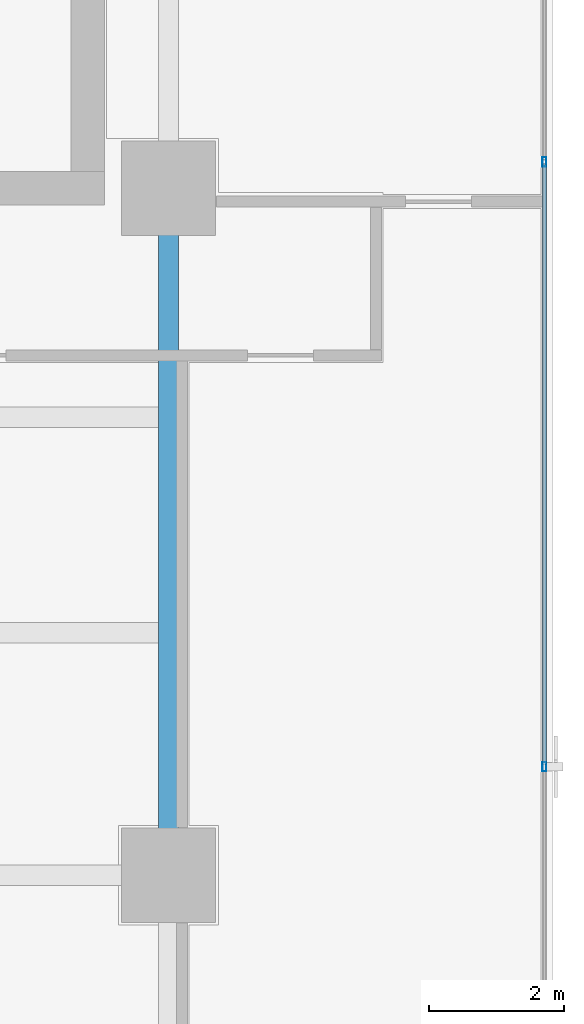
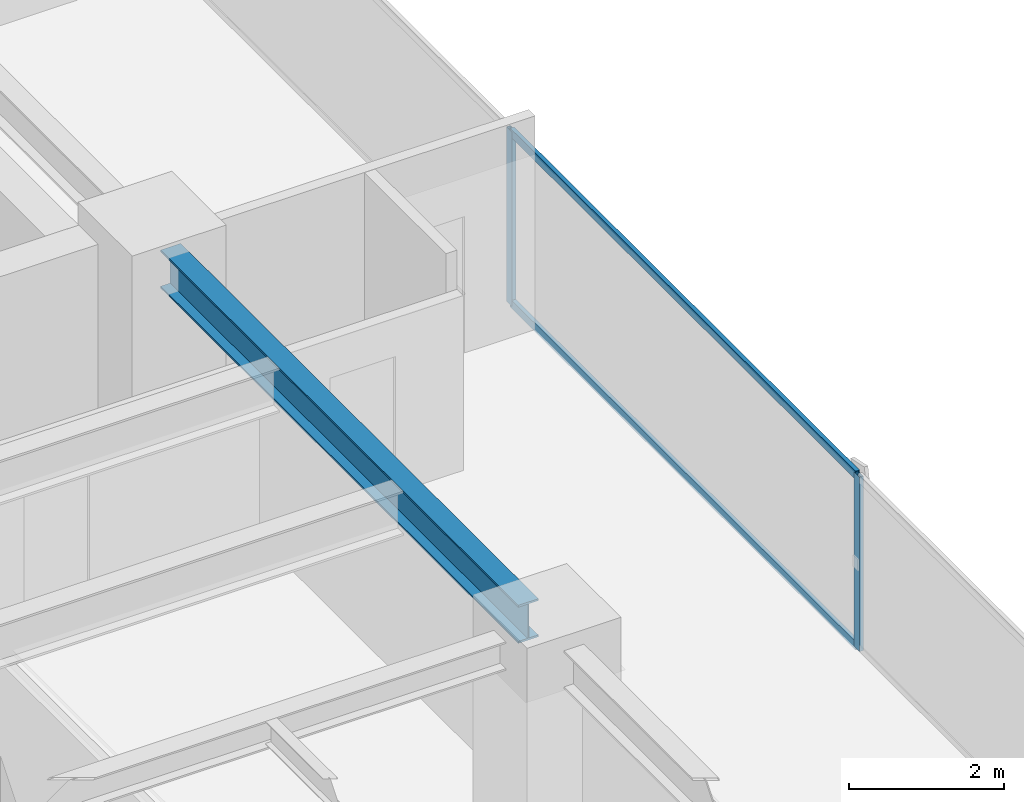
# One storey, part 13 of 27: 4 members, 1 beam, 1 element without a shape of its own.
"""IFC4 building model written with IfcOpenShell, lengths in metres."""

import ifcopenshell
import ifcopenshell.guid

model = None  # the IFC model being written
_history = None  # IfcOwnerHistory: only IFC2X3 demands one
_inside = {}  # id of a spatial element -> (the spatial element, [elements in it])
_under = {}  # id of a project, library or spatial element -> (it, [spatial elements below it])
_declared = {}  # id of a project -> (the project, [libraries it declares])
_typed = {}  # id of a type object -> (the type object, [elements of that type])
_made_of = {}  # id of a material, layer set ... -> (it, [elements and type objects made of it])


def new_model(schema):
    """Start an empty IFC model of exactly this schema.

    Asked for "IFC4X3", IfcOpenShell would pick the latest addendum, in which some entities
    have other attributes; the version numbers below select the first issue.
    IFC2X3 requires an IfcOwnerHistory on every rooted entity: one is made here for all.
    """
    global model, _history
    if schema == "IFC4X3":
        model = ifcopenshell.file(schema_version=(4, 3, 0, 0))
    else:
        model = ifcopenshell.file(schema=schema)
    _inside.clear()
    _under.clear()
    _declared.clear()
    _typed.clear()
    _made_of.clear()
    _history = None
    if model.schema == "IFC2X3":
        org = make("IfcOrganization", Name="unknown")
        user = make(
            "IfcPersonAndOrganization",
            ThePerson=make("IfcPerson", FamilyName="unknown"),
            TheOrganization=org,
        )
        app = make(
            "IfcApplication",
            ApplicationDeveloper=org,
            Version="unknown",
            ApplicationFullName="unknown",
            ApplicationIdentifier="unknown",
        )
        _history = make(
            "IfcOwnerHistory",
            OwningUser=user,
            OwningApplication=app,
            ChangeAction="ADDED",
            CreationDate=0,
        )
    return model


def make(cls, **values):
    """One entity of the class cls with the attributes given. An attribute that is None is left unset."""
    return model.create_entity(
        cls, **{name: value for name, value in values.items() if value is not None}
    )


def rooted(cls, **values):
    """An entity with a GlobalId (a new one), such as an element, a storey or a relation."""
    return make(cls, GlobalId=ifcopenshell.guid.new(), OwnerHistory=_history, **values)


def si_unit(unit_type, name, prefix=None):
    """IfcSIUnit, for example si_unit("LENGTHUNIT", "METRE", prefix="MILLI")."""
    return make("IfcSIUnit", UnitType=unit_type, Prefix=prefix, Name=name)


def assignment(units):
    """IfcUnitAssignment: the units of a project."""
    return None if units is None else make("IfcUnitAssignment", Units=units)


def point(xyz):
    """IfcCartesianPoint."""
    return None if xyz is None else make("IfcCartesianPoint", Coordinates=xyz)


def direction(xyz):
    """IfcDirection."""
    return None if xyz is None else make("IfcDirection", DirectionRatios=xyz)


def frame(location, z_axis=None, x_axis=None):
    """IfcAxis2Placement3D, a coordinate frame: its origin and axes. An axis left out is left unset."""
    return make(
        "IfcAxis2Placement3D",
        Location=point(location),
        Axis=direction(z_axis),
        RefDirection=direction(x_axis),
    )


def frame_2d(location, x_axis=None):
    """IfcAxis2Placement2D, a coordinate frame in the plane: its origin and x axis."""
    return make(
        "IfcAxis2Placement2D", Location=point(location), RefDirection=direction(x_axis)
    )


def origin():
    """The frame at (0, 0, 0) with its axes left unset."""
    return frame((0.0, 0.0, 0.0))


def origin_2d():
    """The frame at (0, 0) in the plane with its x axis left unset."""
    return frame_2d((0.0, 0.0))


def place(relative_to, where):
    """IfcLocalPlacement: puts the frame where relative to a parent placement (None: the world)."""
    return make(
        "IfcLocalPlacement", PlacementRelTo=relative_to, RelativePlacement=where
    )


def context(
    kind, dimensions, precision=None, world=None, true_north=None, identifier=None
):
    """IfcGeometricRepresentationContext, for example the 3D "Model" context."""
    return make(
        "IfcGeometricRepresentationContext",
        ContextIdentifier=identifier,
        ContextType=kind,
        CoordinateSpaceDimension=dimensions,
        Precision=precision,
        WorldCoordinateSystem=world,
        TrueNorth=true_north,
    )


def subcontext(parent, identifier, kind, view, scale=None):
    """IfcGeometricRepresentationSubContext, for example "Body" below "Model"."""
    return make(
        "IfcGeometricRepresentationSubContext",
        ContextIdentifier=identifier,
        ContextType=kind,
        ParentContext=parent,
        TargetScale=scale,
        TargetView=view,
    )


def project(units=None, contexts=None):
    """IfcProject with its units and contexts."""
    return rooted(
        "IfcProject",
        Name="project",
        RepresentationContexts=contexts,
        UnitsInContext=assignment(units),
    )


def spatial(cls, under=None, at=None, **own):
    """A site, building, storey or space (cls), placed at a placement, below another one or the project."""
    s = rooted(cls, ObjectPlacement=at, **own)
    if under is not None:
        _under.setdefault(under.id(), (under, []))[1].append(s)
    return s


def profile(cls, at=None, kind="AREA", **sizes):
    """A parametric profile (cls). Its sizes go by their IFC names, for example OverallWidth=200.0."""
    return make(cls, ProfileType=kind, Position=at, **sizes)


def hollow_rectangle(**sizes):
    """IfcRectangleHollowProfileDef."""
    return profile("IfcRectangleHollowProfileDef", **sizes)


def i_section(**sizes):
    """IfcIShapeProfileDef."""
    return profile("IfcIShapeProfileDef", **sizes)


def extrude(swept, where, along, depth):
    """IfcExtrudedAreaSolid: the profile swept, set in the frame where, extruded along a direction by depth."""
    return make(
        "IfcExtrudedAreaSolid",
        SweptArea=swept,
        Position=where,
        ExtrudedDirection=direction(along),
        Depth=depth,
    )


def shape(context_of_items, identifier, shape_type, items):
    """IfcShapeRepresentation: the items that make up one representation, for example the "Body"."""
    return make(
        "IfcShapeRepresentation",
        ContextOfItems=context_of_items,
        RepresentationIdentifier=identifier,
        RepresentationType=shape_type,
        Items=items,
    )


def source(mapping_origin, context_of_items, identifier, shape_type, items):
    """IfcRepresentationMap: a shape defined once, which mapped items show again and again."""
    return make(
        "IfcRepresentationMap",
        MappingOrigin=mapping_origin,
        MappedRepresentation=shape(context_of_items, identifier, shape_type, items),
    )


def transform(
    local_origin,
    x_axis=None,
    y_axis=None,
    z_axis=None,
    scale=None,
    scale2=None,
    scale3=None,
    uniform=True,
):
    """IfcCartesianTransformationOperator3D, or its non-uniform kind. x_axis, y_axis, z_axis: its Axis1, 2, 3."""
    if uniform:
        return make(
            "IfcCartesianTransformationOperator3D",
            Axis1=direction(x_axis),
            Axis2=direction(y_axis),
            LocalOrigin=point(local_origin),
            Scale=scale,
            Axis3=direction(z_axis),
        )
    return make(
        "IfcCartesianTransformationOperator3DnonUniform",
        Axis1=direction(x_axis),
        Axis2=direction(y_axis),
        LocalOrigin=point(local_origin),
        Scale=scale,
        Axis3=direction(z_axis),
        Scale2=scale2,
        Scale3=scale3,
    )


def mapped(mapping_source, mapping_target):
    """IfcMappedItem: shows the shape of a source again, moved by a transform."""
    return make(
        "IfcMappedItem", MappingSource=mapping_source, MappingTarget=mapping_target
    )


def material(Name=None, Category=None):
    """IfcMaterial."""
    return make("IfcMaterial", Name=Name, Category=Category)


def layer(
    of_material, thickness, ventilated=None, Name=None, Category=None, Priority=None
):
    """IfcMaterialLayer: one layer of a wall or slab, of a material (None: an air gap)."""
    return make(
        "IfcMaterialLayer",
        Material=of_material,
        LayerThickness=thickness,
        IsVentilated=ventilated,
        Name=Name,
        Category=Category,
        Priority=Priority,
    )


def layer_set(layers, Name=None):
    """IfcMaterialLayerSet."""
    return make("IfcMaterialLayerSet", MaterialLayers=layers, LayerSetName=Name)


def material_profile(
    of_material, cross_section, Name=None, Category=None, Priority=None
):
    """IfcMaterialProfile: a cross section and its material."""
    return make(
        "IfcMaterialProfile",
        Name=Name,
        Material=of_material,
        Profile=cross_section,
        Priority=Priority,
        Category=Category,
    )


def profile_set(profiles, Name=None, composite=None):
    """IfcMaterialProfileSet."""
    return make(
        "IfcMaterialProfileSet",
        Name=Name,
        MaterialProfiles=profiles,
        CompositeProfile=composite,
    )


def made_of(thing, what):
    """Note that an element or type object is made of a material, layer set ...; save() writes the relation."""
    if what is not None:
        _made_of.setdefault(what.id(), (what, []))[1].append(thing)
    return thing


def type_object(cls, material=None, **own):
    """A type object (cls), such as IfcWallType, which elements share."""
    return made_of(rooted(cls, **own), material)


def element(
    cls,
    number,
    at=None,
    inside=None,
    cuts=None,
    type_object=None,
    material=None,
    context=None,
    identifier="Body",
    shape_type=None,
    held_by="IfcProductDefinitionShape",
    body=None,
    shapes=None,
    **own,
):
    """One element of the class cls, such as IfcWall. Its Tag is "e" and its number.

    at: its placement. inside: the storey or other place that contains it. cuts: it is an
    opening in that element (IfcRelVoidsElement). A single representation is given by context,
    identifier, shape_type and body (its items); several are given by shapes. held_by: the class
    of the entity that holds the representations. save() writes the other relations.
    """
    e = rooted(cls, Tag="e%d" % number, ObjectPlacement=at, **own)
    if body is not None:
        shapes = [shape(context, identifier, shape_type, body)]
    if shapes is not None:
        e.Representation = make(held_by, Representations=shapes)
    if inside is not None:
        _inside.setdefault(inside.id(), (inside, []))[1].append(e)
    if cuts is not None:
        rooted(
            "IfcRelVoidsElement", RelatingBuildingElement=cuts, RelatedOpeningElement=e
        )
    if type_object is not None:
        _typed.setdefault(type_object.id(), (type_object, []))[1].append(e)
    return made_of(e, material)


def aggregate(whole, parts):
    """IfcRelAggregates: a whole, such as a stair, and the parts it consists of."""
    return rooted("IfcRelAggregates", RelatingObject=whole, RelatedObjects=parts)


def save(model, path):
    """Write the relations noted so far, then the file.

    IfcRelAggregates (storeys below a building ...), IfcRelContainedInSpatialStructure (elements
    in a storey), IfcRelDefinesByType, IfcRelAssociatesMaterial and IfcRelDeclares: one each for
    every whole, place, type object, material and project.
    """
    for whole, parts in _under.values():
        aggregate(whole, parts)
    for where, things in _inside.values():
        rooted(
            "IfcRelContainedInSpatialStructure",
            RelatedElements=things,
            RelatingStructure=where,
        )
    for kind, things in _typed.values():
        rooted("IfcRelDefinesByType", RelatedObjects=things, RelatingType=kind)
    for what, things in _made_of.values():
        rooted("IfcRelAssociatesMaterial", RelatedObjects=things, RelatingMaterial=what)
    for by, libraries in _declared.values():
        rooted("IfcRelDeclares", RelatingContext=by, RelatedDefinitions=libraries)
    model.write(path)


model = new_model("IFC4")

# Units and contexts
model_context = context("Model", 3, precision=1e-05, world=origin(), true_north=direction((0.0, 1.0)))
body_context = subcontext(model_context, "Body", "Model", "MODEL_VIEW")
ifc_project = project(units=[si_unit("LENGTHUNIT", "METRE"), si_unit("AREAUNIT", "SQUARE_METRE"), si_unit("VOLUMEUNIT", "CUBIC_METRE"), si_unit("PLANEANGLEUNIT", "RADIAN"), si_unit("MASSUNIT", "GRAM", prefix="KILO")], contexts=[model_context])

# Site, building, storey
site_placement = place(None, origin())
site = spatial("IfcSite", under=ifc_project, at=site_placement, CompositionType="ELEMENT")
building_placement = place(site_placement, origin())
building = spatial("IfcBuilding", under=site, at=building_placement, Name="Sumidabori Civic Tower", CompositionType="ELEMENT")
storey_placement = place(building_placement, frame((0.0, 0.0, 257.60009765625)))
storey = spatial("IfcBuildingStorey", under=building, at=storey_placement, Name="L67", CompositionType="ELEMENT", Elevation=257.60009765625)

# Beam
ifc_material_1 = material(Name="Steel SN490", Category="steel")
ifc_material_profile_1 = material_profile(ifc_material_1, i_section(OverallWidth=0.300048828125, OverallDepth=0.60009765625, WebThickness=0.015380859375, FlangeThickness=0.030029296875, at=origin_2d()), Name="HE 600 B")
ifc_profile_set_1 = profile_set([ifc_material_profile_1], Name="Steel SN490")
beam_type = type_object("IfcBeamType", Name="BM-GIRD-600", PredefinedType="BEAM", material=ifc_profile_set_1)
shared_shape_1 = source(origin(), body_context, "Body", "SweptSolid", [
    extrude(i_section(OverallWidth=0.300048828125, OverallDepth=0.60009765625, WebThickness=0.015380859375, FlangeThickness=0.030029296875, at=origin_2d()), origin(), (0.0, 0.0, 1.0), 9.239990234375),
])
beam_placement = place(storey_placement, frame((16.800048828125, 0.47998046875, 3.06982421875), z_axis=(0.0, 1.0, 0.0), x_axis=(-1.0, 0.0, 0.0)))
element("IfcBeam", 1, at=beam_placement, inside=storey, type_object=beam_type, Name="Primary Girder L67 GY-16", PredefinedType="BEAM", context=body_context, shape_type="MappedRepresentation", body=[
    mapped(shared_shape_1, transform((0.0, 0.0, 0.0), x_axis=(1.0, 0.0, 0.0), y_axis=(0.0, 1.0, 0.0), z_axis=(0.0, 0.0, 1.0), scale=1.0)),
])

# Curtain wall, members
ifc_material_2 = material(Name="Anodised Bronze Aluminium AW-6063-T6", Category="aluminium")
ifc_layer = layer(ifc_material_2, 0.179931640625, Name="Anodised Bronze Aluminium AW-6063-T6")
ifc_layer_set = layer_set([ifc_layer], Name="Anodised Bronze Aluminium AW-6063-T6")
curtain_wall_type = type_object("IfcCurtainWallType", Name="CW-SYS-5", PredefinedType="NOTDEFINED", material=ifc_layer_set)
curtain_wall_placement = place(storey_placement, origin())
curtain_wall = element("IfcCurtainWall", 2, at=curtain_wall_placement, inside=storey, type_object=curtain_wall_type, Name="Curtain Wall CW:L67:R04", PredefinedType="NOTDEFINED")
ifc_material_profile_2 = material_profile(ifc_material_2, hollow_rectangle(XDim=0.06005859375, YDim=0.139892578125, WallThickness=0.0048828125, at=origin_2d()), Name="ALU MULLION 140x60")
ifc_profile_set_2 = profile_set([ifc_material_profile_2], Name="Anodised Bronze Aluminium AW-6063-T6")
member_type_1 = type_object("IfcMemberType", Name="CW-MUL-140", PredefinedType="MULLION", material=ifc_profile_set_2)
shared_shape_2 = source(origin(), body_context, "Body", "SweptSolid", [
    extrude(hollow_rectangle(XDim=0.06005859375, YDim=0.139892578125, WallThickness=0.0048828125, at=origin_2d()), origin(), (0.0, 0.0, 1.0), 2.75),
])
member_1_placement = place(storey_placement, frame((22.3798828125, 1.610107421875, 0.0), z_axis=(0.0, 0.0, 1.0), x_axis=(-1.0, 0.0, 0.0)))
member_1 = element("IfcMember", 3, at=member_1_placement, type_object=member_type_1, Name="CW-5 mullion 2", PredefinedType="MULLION", context=body_context, shape_type="MappedRepresentation", body=[
    mapped(shared_shape_2, transform((0.0, 0.0, 0.0), x_axis=(1.0, 0.0, 0.0), y_axis=(0.0, 1.0, 0.0), z_axis=(0.0, 0.0, 1.0), scale=1.0)),
])
member_2_placement = place(storey_placement, frame((22.3798828125, 10.590087890625, 0.0), z_axis=(0.0, 0.0, 1.0), x_axis=(-1.0, 0.0, 0.0)))
member_2 = element("IfcMember", 4, at=member_2_placement, type_object=member_type_1, Name="CW-5 mullion 3", PredefinedType="MULLION", context=body_context, shape_type="MappedRepresentation", body=[
    mapped(shared_shape_2, transform((0.0, 0.0, 0.0), x_axis=(1.0, 0.0, 0.0), y_axis=(0.0, 1.0, 0.0), z_axis=(0.0, 0.0, 1.0), scale=1.0)),
])
ifc_material_profile_3 = material_profile(ifc_material_2, hollow_rectangle(XDim=0.06005859375, YDim=0.1298828125, WallThickness=0.0048828125, at=origin_2d()), Name="ALU TRANSOM 130x60")
ifc_profile_set_3 = profile_set([ifc_material_profile_3], Name="Anodised Bronze Aluminium AW-6063-T6")
member_type_2 = type_object("IfcMemberType", Name="CW-TRN-130", PredefinedType="USERDEFINED", material=ifc_profile_set_3)
shared_shape_3 = source(origin(), body_context, "Body", "SweptSolid", [
    extrude(hollow_rectangle(XDim=0.06005859375, YDim=0.1298828125, WallThickness=0.0048828125, at=origin_2d()), origin(), (0.0, 0.0, 1.0), 8.920166015625),
])
member_3_placement = place(storey_placement, frame((22.3798828125, 1.639892578125, 0.02978515625), z_axis=(0.0, 1.0, 0.0), x_axis=(-1.0, 0.0, 0.0)))
member_3 = element("IfcMember", 5, at=member_3_placement, type_object=member_type_2, Name="CW-5 transom 2.1", ObjectType="TRANSOM", PredefinedType="USERDEFINED", context=body_context, shape_type="MappedRepresentation", body=[
    mapped(shared_shape_3, transform((0.0, 0.0, 0.0), x_axis=(1.0, 0.0, 0.0), y_axis=(0.0, 1.0, 0.0), z_axis=(0.0, 0.0, 1.0), scale=1.0)),
])
member_4_placement = place(storey_placement, frame((22.3798828125, 1.639892578125, 2.719970703125), z_axis=(0.0, 1.0, 0.0), x_axis=(-1.0, 0.0, 0.0)))
member_4 = element("IfcMember", 6, at=member_4_placement, type_object=member_type_2, Name="CW-5 transom 2.2", ObjectType="TRANSOM", PredefinedType="USERDEFINED", context=body_context, shape_type="MappedRepresentation", body=[
    mapped(shared_shape_3, transform((0.0, 0.0, 0.0), x_axis=(1.0, 0.0, 0.0), y_axis=(0.0, 1.0, 0.0), z_axis=(0.0, 0.0, 1.0), scale=1.0)),
])
aggregate(curtain_wall, [member_1, member_2, member_3, member_4])

save(model, "model.ifc")
